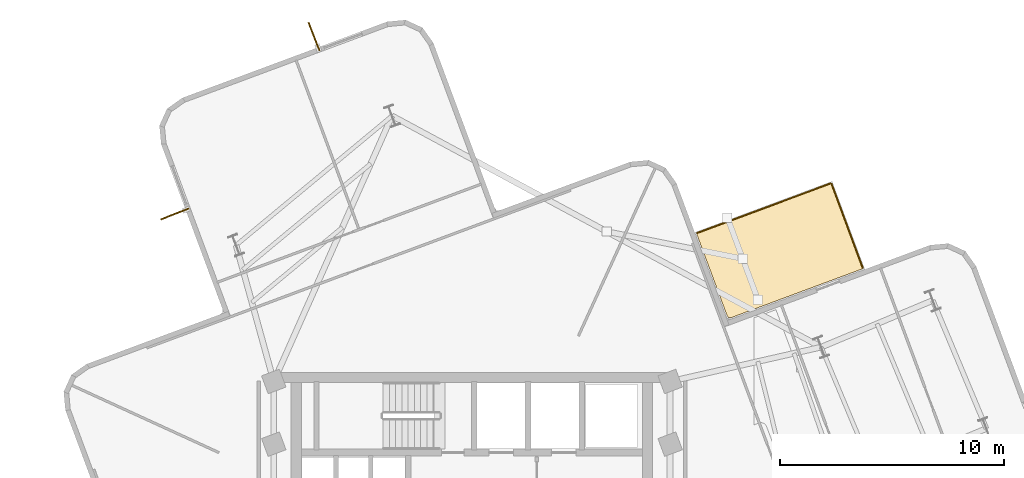
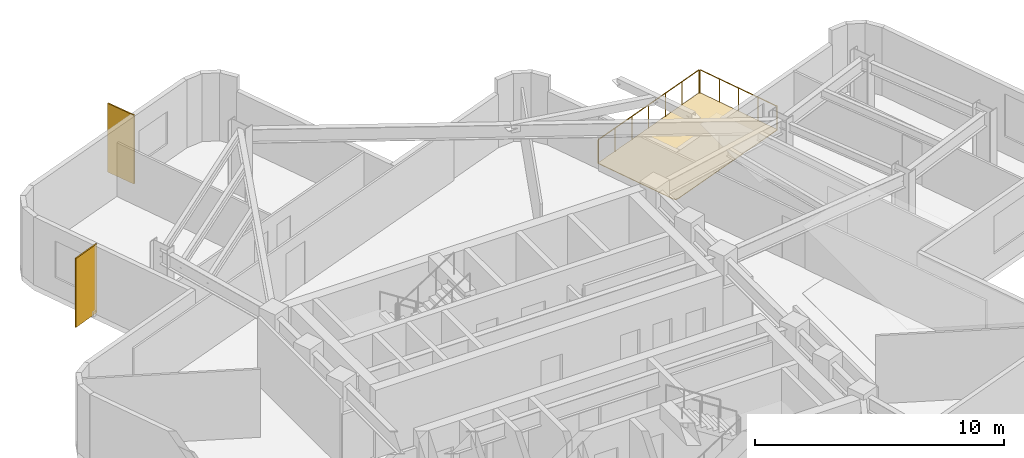
# One storey, part 8 of 8: 2 railings, 2 shading devices, 1 covering.
"""IFC4 building model written with IfcOpenShell, lengths in metres."""

import ifcopenshell
import ifcopenshell.guid

model = None  # the IFC model being written
_history = None  # IfcOwnerHistory: only IFC2X3 demands one
_inside = {}  # id of a spatial element -> (the spatial element, [elements in it])
_under = {}  # id of a project, library or spatial element -> (it, [spatial elements below it])
_declared = {}  # id of a project -> (the project, [libraries it declares])
_typed = {}  # id of a type object -> (the type object, [elements of that type])
_made_of = {}  # id of a material, layer set ... -> (it, [elements and type objects made of it])


def new_model(schema):
    """Start an empty IFC model of exactly this schema.

    Asked for "IFC4X3", IfcOpenShell would pick the latest addendum, in which some entities
    have other attributes; the version numbers below select the first issue.
    IFC2X3 requires an IfcOwnerHistory on every rooted entity: one is made here for all.
    """
    global model, _history
    if schema == "IFC4X3":
        model = ifcopenshell.file(schema_version=(4, 3, 0, 0))
    else:
        model = ifcopenshell.file(schema=schema)
    _inside.clear()
    _under.clear()
    _declared.clear()
    _typed.clear()
    _made_of.clear()
    _history = None
    if model.schema == "IFC2X3":
        org = make("IfcOrganization", Name="unknown")
        user = make(
            "IfcPersonAndOrganization",
            ThePerson=make("IfcPerson", FamilyName="unknown"),
            TheOrganization=org,
        )
        app = make(
            "IfcApplication",
            ApplicationDeveloper=org,
            Version="unknown",
            ApplicationFullName="unknown",
            ApplicationIdentifier="unknown",
        )
        _history = make(
            "IfcOwnerHistory",
            OwningUser=user,
            OwningApplication=app,
            ChangeAction="ADDED",
            CreationDate=0,
        )
    return model


def make(cls, **values):
    """One entity of the class cls with the attributes given. An attribute that is None is left unset."""
    return model.create_entity(
        cls, **{name: value for name, value in values.items() if value is not None}
    )


def rooted(cls, **values):
    """An entity with a GlobalId (a new one), such as an element, a storey or a relation."""
    return make(cls, GlobalId=ifcopenshell.guid.new(), OwnerHistory=_history, **values)


def si_unit(unit_type, name, prefix=None):
    """IfcSIUnit, for example si_unit("LENGTHUNIT", "METRE", prefix="MILLI")."""
    return make("IfcSIUnit", UnitType=unit_type, Prefix=prefix, Name=name)


def assignment(units):
    """IfcUnitAssignment: the units of a project."""
    return None if units is None else make("IfcUnitAssignment", Units=units)


def point(xyz):
    """IfcCartesianPoint."""
    return None if xyz is None else make("IfcCartesianPoint", Coordinates=xyz)


def direction(xyz):
    """IfcDirection."""
    return None if xyz is None else make("IfcDirection", DirectionRatios=xyz)


def frame(location, z_axis=None, x_axis=None):
    """IfcAxis2Placement3D, a coordinate frame: its origin and axes. An axis left out is left unset."""
    return make(
        "IfcAxis2Placement3D",
        Location=point(location),
        Axis=direction(z_axis),
        RefDirection=direction(x_axis),
    )


def frame_2d(location, x_axis=None):
    """IfcAxis2Placement2D, a coordinate frame in the plane: its origin and x axis."""
    return make(
        "IfcAxis2Placement2D", Location=point(location), RefDirection=direction(x_axis)
    )


def origin():
    """The frame at (0, 0, 0) with its axes left unset."""
    return frame((0.0, 0.0, 0.0))


def origin_2d():
    """The frame at (0, 0) in the plane with its x axis left unset."""
    return frame_2d((0.0, 0.0))


def place(relative_to, where):
    """IfcLocalPlacement: puts the frame where relative to a parent placement (None: the world)."""
    return make(
        "IfcLocalPlacement", PlacementRelTo=relative_to, RelativePlacement=where
    )


def context(
    kind, dimensions, precision=None, world=None, true_north=None, identifier=None
):
    """IfcGeometricRepresentationContext, for example the 3D "Model" context."""
    return make(
        "IfcGeometricRepresentationContext",
        ContextIdentifier=identifier,
        ContextType=kind,
        CoordinateSpaceDimension=dimensions,
        Precision=precision,
        WorldCoordinateSystem=world,
        TrueNorth=true_north,
    )


def subcontext(parent, identifier, kind, view, scale=None):
    """IfcGeometricRepresentationSubContext, for example "Body" below "Model"."""
    return make(
        "IfcGeometricRepresentationSubContext",
        ContextIdentifier=identifier,
        ContextType=kind,
        ParentContext=parent,
        TargetScale=scale,
        TargetView=view,
    )


def project(units=None, contexts=None):
    """IfcProject with its units and contexts."""
    return rooted(
        "IfcProject",
        Name="project",
        RepresentationContexts=contexts,
        UnitsInContext=assignment(units),
    )


def spatial(cls, under=None, at=None, **own):
    """A site, building, storey or space (cls), placed at a placement, below another one or the project."""
    s = rooted(cls, ObjectPlacement=at, **own)
    if under is not None:
        _under.setdefault(under.id(), (under, []))[1].append(s)
    return s


def polyline(points):
    """IfcPolyline through the points."""
    return make("IfcPolyline", Points=[point(p) for p in points])


def profile(cls, at=None, kind="AREA", **sizes):
    """A parametric profile (cls). Its sizes go by their IFC names, for example OverallWidth=200.0."""
    return make(cls, ProfileType=kind, Position=at, **sizes)


def rectangle(**sizes):
    """IfcRectangleProfileDef."""
    return profile("IfcRectangleProfileDef", **sizes)


def circle(**sizes):
    """IfcCircleProfileDef."""
    return profile("IfcCircleProfileDef", **sizes)


def outline(outer, holes=None, kind="AREA"):
    """IfcArbitraryClosedProfileDef: a profile drawn as a closed curve; with holes, ...WithVoids."""
    if holes is None:
        return make("IfcArbitraryClosedProfileDef", ProfileType=kind, OuterCurve=outer)
    return make(
        "IfcArbitraryProfileDefWithVoids",
        ProfileType=kind,
        OuterCurve=outer,
        InnerCurves=holes,
    )


def extrude(swept, where, along, depth):
    """IfcExtrudedAreaSolid: the profile swept, set in the frame where, extruded along a direction by depth."""
    return make(
        "IfcExtrudedAreaSolid",
        SweptArea=swept,
        Position=where,
        ExtrudedDirection=direction(along),
        Depth=depth,
    )


def shape(context_of_items, identifier, shape_type, items):
    """IfcShapeRepresentation: the items that make up one representation, for example the "Body"."""
    return make(
        "IfcShapeRepresentation",
        ContextOfItems=context_of_items,
        RepresentationIdentifier=identifier,
        RepresentationType=shape_type,
        Items=items,
    )


def material(Name=None, Category=None):
    """IfcMaterial."""
    return make("IfcMaterial", Name=Name, Category=Category)


def layer(
    of_material, thickness, ventilated=None, Name=None, Category=None, Priority=None
):
    """IfcMaterialLayer: one layer of a wall or slab, of a material (None: an air gap)."""
    return make(
        "IfcMaterialLayer",
        Material=of_material,
        LayerThickness=thickness,
        IsVentilated=ventilated,
        Name=Name,
        Category=Category,
        Priority=Priority,
    )


def layer_set(layers, Name=None):
    """IfcMaterialLayerSet."""
    return make("IfcMaterialLayerSet", MaterialLayers=layers, LayerSetName=Name)


def made_of(thing, what):
    """Note that an element or type object is made of a material, layer set ...; save() writes the relation."""
    if what is not None:
        _made_of.setdefault(what.id(), (what, []))[1].append(thing)
    return thing


def type_object(cls, material=None, **own):
    """A type object (cls), such as IfcWallType, which elements share."""
    return made_of(rooted(cls, **own), material)


def element(
    cls,
    number,
    at=None,
    inside=None,
    cuts=None,
    type_object=None,
    material=None,
    context=None,
    identifier="Body",
    shape_type=None,
    held_by="IfcProductDefinitionShape",
    body=None,
    shapes=None,
    **own,
):
    """One element of the class cls, such as IfcWall. Its Tag is "e" and its number.

    at: its placement. inside: the storey or other place that contains it. cuts: it is an
    opening in that element (IfcRelVoidsElement). A single representation is given by context,
    identifier, shape_type and body (its items); several are given by shapes. held_by: the class
    of the entity that holds the representations. save() writes the other relations.
    """
    e = rooted(cls, Tag="e%d" % number, ObjectPlacement=at, **own)
    if body is not None:
        shapes = [shape(context, identifier, shape_type, body)]
    if shapes is not None:
        e.Representation = make(held_by, Representations=shapes)
    if inside is not None:
        _inside.setdefault(inside.id(), (inside, []))[1].append(e)
    if cuts is not None:
        rooted(
            "IfcRelVoidsElement", RelatingBuildingElement=cuts, RelatedOpeningElement=e
        )
    if type_object is not None:
        _typed.setdefault(type_object.id(), (type_object, []))[1].append(e)
    return made_of(e, material)


def aggregate(whole, parts):
    """IfcRelAggregates: a whole, such as a stair, and the parts it consists of."""
    return rooted("IfcRelAggregates", RelatingObject=whole, RelatedObjects=parts)


def save(model, path):
    """Write the relations noted so far, then the file.

    IfcRelAggregates (storeys below a building ...), IfcRelContainedInSpatialStructure (elements
    in a storey), IfcRelDefinesByType, IfcRelAssociatesMaterial and IfcRelDeclares: one each for
    every whole, place, type object, material and project.
    """
    for whole, parts in _under.values():
        aggregate(whole, parts)
    for where, things in _inside.values():
        rooted(
            "IfcRelContainedInSpatialStructure",
            RelatedElements=things,
            RelatingStructure=where,
        )
    for kind, things in _typed.values():
        rooted("IfcRelDefinesByType", RelatedObjects=things, RelatingType=kind)
    for what, things in _made_of.values():
        rooted("IfcRelAssociatesMaterial", RelatedObjects=things, RelatingMaterial=what)
    for by, libraries in _declared.values():
        rooted("IfcRelDeclares", RelatingContext=by, RelatedDefinitions=libraries)
    model.write(path)


model = new_model("IFC4")

# Units and contexts
model_context = context("Model", 3, precision=1e-05, world=origin(), true_north=direction((0.0, 1.0)))
body_context = subcontext(model_context, "Body", "Model", "MODEL_VIEW")
ifc_project = project(units=[si_unit("LENGTHUNIT", "METRE"), si_unit("AREAUNIT", "SQUARE_METRE"), si_unit("VOLUMEUNIT", "CUBIC_METRE"), si_unit("PLANEANGLEUNIT", "RADIAN"), si_unit("MASSUNIT", "GRAM", prefix="KILO")], contexts=[model_context])

# Site, building, storey
site_placement = place(None, origin())
site = spatial("IfcSite", under=ifc_project, at=site_placement, CompositionType="ELEMENT")
building_placement = place(site_placement, origin())
building = spatial("IfcBuilding", under=site, at=building_placement, Name="Solmarez Civic Tower", CompositionType="ELEMENT")
storey_placement = place(building_placement, frame((0.0, 0.0, 166.679931640625)))
storey = spatial("IfcBuildingStorey", under=building, at=storey_placement, Name="L44", CompositionType="ELEMENT", Elevation=166.679931640625)

# Covering
ifc_material_1 = material(Name="Elastomeric Terrace Waterproofing Membrane")
ifc_layer_1 = layer(ifc_material_1, 0.030029296875)
ifc_layer_set_1 = layer_set([ifc_layer_1], Name="Elastomeric Terrace Waterproofing Membrane")
covering_type = type_object("IfcCoveringType", Name="COV-MEMBRANE-ROOF", PredefinedType="ROOFING", material=ifc_layer_set_1)
covering_placement = place(storey_placement, origin())
element("IfcCovering", 1, at=covering_placement, inside=storey, type_object=covering_type, Name="L44 Balcony Waterproofing NE", PredefinedType="ROOFING", context=body_context, shape_type="SweptSolid", body=[
    extrude(outline(polyline([(11.387939453125, 11.297119140625), (11.462890625, 11.193115234375), (11.591064453125, 11.205078125), (17.468017578125, 13.389892578125), (16.047119140625, 17.212890625), (10.02099609375, 14.972900390625), (11.387939453125, 11.297119140625)])), origin(), (0.0, 0.0, 1.0), 0.030029296875),
])

# Shading devices
ifc_material_2 = material(Name="Bronze Anodised Aluminium EN AW-6063 T6", Category="aluminium")
ifc_layer_2 = layer(ifc_material_2, 0.06005859375)
ifc_layer_set_2 = layer_set([ifc_layer_2], Name="Bronze Anodised Aluminium EN AW-6063 T6")
shading_device_type = type_object("IfcShadingDeviceType", Name="FIN-BRONZE-Z34", PredefinedType="USERDEFINED", material=ifc_layer_set_2)
for number, where, z_axis, x_axis, name in (
    (2, (-13.263916015625, 15.8291015625, -0.039794921875), (0.0, 0.0, 1.0), (-0.931760949644, -0.363072351905, 0.0), "L44 Anodised Bronze Solar Fin FIN-L44-03"),
    (3, (-7.051025390625, 23.74609375, -0.039794921875), (0.0, 0.0, 1.0), (-0.363104876276, 0.931748275461, 0.0), "L44 Anodised Bronze Solar Fin FIN-L44-04"),
):
    element("IfcShadingDevice", number, at=place(storey_placement, frame(where, z_axis=z_axis, x_axis=x_axis)), inside=storey, type_object=shading_device_type, Name=name, ObjectType="FIN", PredefinedType="USERDEFINED", context=body_context, shape_type="SweptSolid", body=[
        extrude(rectangle(XDim=1.35009765625, YDim=0.06005859375, at=origin_2d()), origin(), (0.0, 0.0, 1.0), 3.3798828125),
    ])

# Railings
ifc_material_3 = material(Name="Bronze Anodised Aluminium and Laminated Safety Glass Balustrade", Category="aluminium")
railing_type = type_object("IfcRailingType", Name="GUARD-TERR-1180", PredefinedType="BALUSTRADE", material=ifc_material_3)
railing_1_placement = place(storey_placement, frame((17.4560546875, 13.423095703125, 0.0)))
element("IfcRailing", 4, at=railing_1_placement, inside=storey, type_object=railing_type, Name="L44 Safety Balustrade GRD-BALC-L44-NE-1", PredefinedType="BALUSTRADE", context=body_context, shape_type="SweptSolid", body=[
    extrude(circle(Radius=0.02392578125, at=origin_2d()), frame((0.0, 0.0, 1.15576171875), z_axis=(-0.348532133749, 0.937296832249, 0.0), x_axis=(-0.937296832249, -0.348532133749, 0.0)), (0.0, 0.0, 1.0), 4.008056640625),
    extrude(circle(Radius=0.02099609375, at=origin_2d()), origin(), (0.0, 0.0, 1.0), 1.1318359375),
    extrude(circle(Radius=0.02099609375, at=origin_2d()), frame((-0.34912109375, 0.939208984375, 0.0)), (0.0, 0.0, 1.0), 1.1318359375),
    extrude(circle(Radius=0.02099609375, at=origin_2d()), frame((-0.698486328125, 1.87841796875, 0.0)), (0.0, 0.0, 1.0), 1.1318359375),
    extrude(circle(Radius=0.02099609375, at=origin_2d()), frame((-1.0478515625, 2.817626953125, 0.0)), (0.0, 0.0, 1.0), 1.1318359375),
    extrude(circle(Radius=0.02099609375, at=origin_2d()), frame((-1.39697265625, 3.7568359375, 0.0)), (0.0, 0.0, 1.0), 1.1318359375),
])
railing_2_placement = place(storey_placement, frame((16.013916015625, 17.200927734375, 0.0)))
element("IfcRailing", 5, at=railing_2_placement, inside=storey, type_object=railing_type, Name="L44 Safety Balustrade GRD-BALC-L44-NE-2", PredefinedType="BALUSTRADE", context=body_context, shape_type="SweptSolid", body=[
    extrude(circle(Radius=0.02392578125, at=origin_2d()), frame((0.0, 0.0, 1.15576171875), z_axis=(-0.937316374052, -0.348479576065, 0.0), x_axis=(0.348479576065, -0.937316374052, 0.0)), (0.0, 0.0, 1.0), 6.358642578125),
    extrude(circle(Radius=0.02099609375, at=origin_2d()), origin(), (0.0, 0.0, 1.0), 1.1318359375),
    extrude(circle(Radius=0.02099609375, at=origin_2d()), frame((-0.993408203125, -0.369384765625, 0.0)), (0.0, 0.0, 1.0), 1.1318359375),
    extrude(circle(Radius=0.02099609375, at=origin_2d()), frame((-1.986572265625, -0.738525390625, 0.0)), (0.0, 0.0, 1.0), 1.1318359375),
    extrude(circle(Radius=0.02099609375, at=origin_2d()), frame((-2.97998046875, -1.10791015625, 0.0)), (0.0, 0.0, 1.0), 1.1318359375),
    extrude(circle(Radius=0.02099609375, at=origin_2d()), frame((-3.973388671875, -1.477294921875, 0.0)), (0.0, 0.0, 1.0), 1.1318359375),
    extrude(circle(Radius=0.02099609375, at=origin_2d()), frame((-4.966552734375, -1.846435546875, 0.0)), (0.0, 0.0, 1.0), 1.1318359375),
    extrude(circle(Radius=0.02099609375, at=origin_2d()), frame((-5.9599609375, -2.2158203125, 0.0)), (0.0, 0.0, 1.0), 1.1318359375),
])

save(model, "model.ifc")
